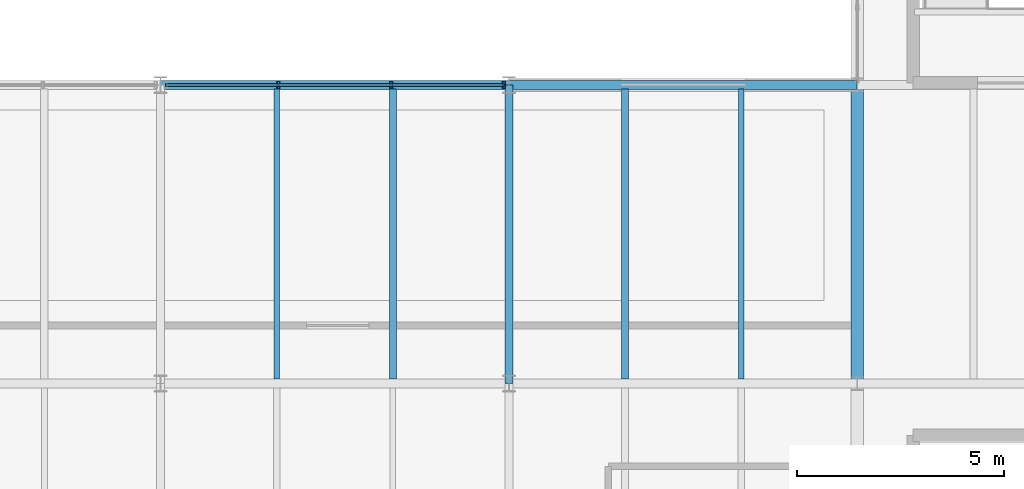
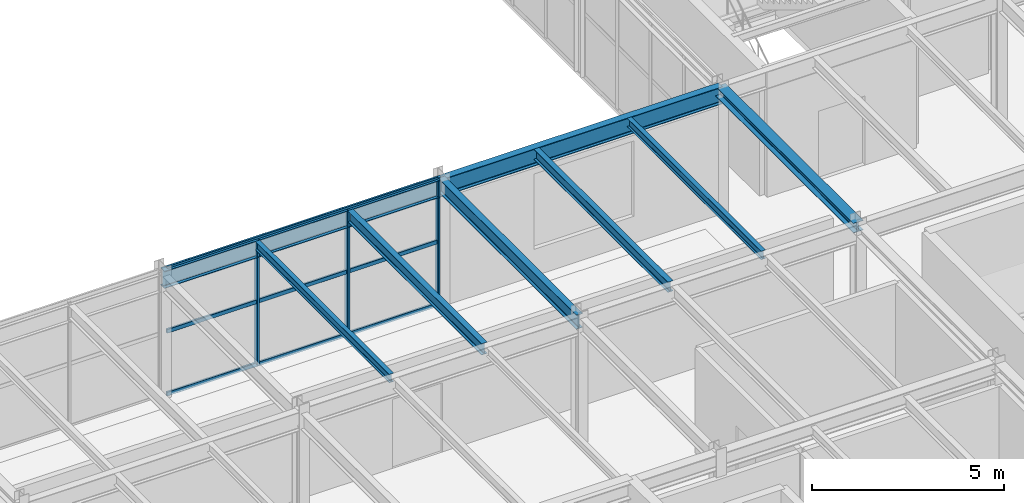
# One storey, part 33 of 73: 8 beams, 6 members, 1 element without a shape of its own.
"""IFC4 building model written with IfcOpenShell, lengths in metres."""

import ifcopenshell
import ifcopenshell.guid

model = None  # the IFC model being written
_history = None  # IfcOwnerHistory: only IFC2X3 demands one
_inside = {}  # id of a spatial element -> (the spatial element, [elements in it])
_under = {}  # id of a project, library or spatial element -> (it, [spatial elements below it])
_declared = {}  # id of a project -> (the project, [libraries it declares])
_typed = {}  # id of a type object -> (the type object, [elements of that type])
_made_of = {}  # id of a material, layer set ... -> (it, [elements and type objects made of it])


def new_model(schema):
    """Start an empty IFC model of exactly this schema.

    Asked for "IFC4X3", IfcOpenShell would pick the latest addendum, in which some entities
    have other attributes; the version numbers below select the first issue.
    IFC2X3 requires an IfcOwnerHistory on every rooted entity: one is made here for all.
    """
    global model, _history
    if schema == "IFC4X3":
        model = ifcopenshell.file(schema_version=(4, 3, 0, 0))
    else:
        model = ifcopenshell.file(schema=schema)
    _inside.clear()
    _under.clear()
    _declared.clear()
    _typed.clear()
    _made_of.clear()
    _history = None
    if model.schema == "IFC2X3":
        org = make("IfcOrganization", Name="unknown")
        user = make(
            "IfcPersonAndOrganization",
            ThePerson=make("IfcPerson", FamilyName="unknown"),
            TheOrganization=org,
        )
        app = make(
            "IfcApplication",
            ApplicationDeveloper=org,
            Version="unknown",
            ApplicationFullName="unknown",
            ApplicationIdentifier="unknown",
        )
        _history = make(
            "IfcOwnerHistory",
            OwningUser=user,
            OwningApplication=app,
            ChangeAction="ADDED",
            CreationDate=0,
        )
    return model


def make(cls, **values):
    """One entity of the class cls with the attributes given. An attribute that is None is left unset."""
    return model.create_entity(
        cls, **{name: value for name, value in values.items() if value is not None}
    )


def rooted(cls, **values):
    """An entity with a GlobalId (a new one), such as an element, a storey or a relation."""
    return make(cls, GlobalId=ifcopenshell.guid.new(), OwnerHistory=_history, **values)


def si_unit(unit_type, name, prefix=None):
    """IfcSIUnit, for example si_unit("LENGTHUNIT", "METRE", prefix="MILLI")."""
    return make("IfcSIUnit", UnitType=unit_type, Prefix=prefix, Name=name)


def derived_unit(unit_type, elements):
    """IfcDerivedUnit: a product of units, each with its exponent."""
    return make(
        "IfcDerivedUnit",
        Elements=[
            make("IfcDerivedUnitElement", Unit=unit, Exponent=power)
            for unit, power in elements
        ],
        UnitType=unit_type,
    )


def assignment(units):
    """IfcUnitAssignment: the units of a project."""
    return None if units is None else make("IfcUnitAssignment", Units=units)


def point(xyz):
    """IfcCartesianPoint."""
    return None if xyz is None else make("IfcCartesianPoint", Coordinates=xyz)


def direction(xyz):
    """IfcDirection."""
    return None if xyz is None else make("IfcDirection", DirectionRatios=xyz)


def frame(location, z_axis=None, x_axis=None):
    """IfcAxis2Placement3D, a coordinate frame: its origin and axes. An axis left out is left unset."""
    return make(
        "IfcAxis2Placement3D",
        Location=point(location),
        Axis=direction(z_axis),
        RefDirection=direction(x_axis),
    )


def frame_2d(location, x_axis=None):
    """IfcAxis2Placement2D, a coordinate frame in the plane: its origin and x axis."""
    return make(
        "IfcAxis2Placement2D", Location=point(location), RefDirection=direction(x_axis)
    )


def origin():
    """The frame at (0, 0, 0) with its axes left unset."""
    return frame((0.0, 0.0, 0.0))


def origin_2d():
    """The frame at (0, 0) in the plane with its x axis left unset."""
    return frame_2d((0.0, 0.0))


def place(relative_to, where):
    """IfcLocalPlacement: puts the frame where relative to a parent placement (None: the world)."""
    return make(
        "IfcLocalPlacement", PlacementRelTo=relative_to, RelativePlacement=where
    )


def context(
    kind, dimensions, precision=None, world=None, true_north=None, identifier=None
):
    """IfcGeometricRepresentationContext, for example the 3D "Model" context."""
    return make(
        "IfcGeometricRepresentationContext",
        ContextIdentifier=identifier,
        ContextType=kind,
        CoordinateSpaceDimension=dimensions,
        Precision=precision,
        WorldCoordinateSystem=world,
        TrueNorth=true_north,
    )


def subcontext(parent, identifier, kind, view, scale=None):
    """IfcGeometricRepresentationSubContext, for example "Body" below "Model"."""
    return make(
        "IfcGeometricRepresentationSubContext",
        ContextIdentifier=identifier,
        ContextType=kind,
        ParentContext=parent,
        TargetScale=scale,
        TargetView=view,
    )


def project(units=None, contexts=None):
    """IfcProject with its units and contexts."""
    return rooted(
        "IfcProject",
        Name="project",
        RepresentationContexts=contexts,
        UnitsInContext=assignment(units),
    )


def spatial(cls, under=None, at=None, **own):
    """A site, building, storey or space (cls), placed at a placement, below another one or the project."""
    s = rooted(cls, ObjectPlacement=at, **own)
    if under is not None:
        _under.setdefault(under.id(), (under, []))[1].append(s)
    return s


def profile(cls, at=None, kind="AREA", **sizes):
    """A parametric profile (cls). Its sizes go by their IFC names, for example OverallWidth=200.0."""
    return make(cls, ProfileType=kind, Position=at, **sizes)


def hollow_rectangle(**sizes):
    """IfcRectangleHollowProfileDef."""
    return profile("IfcRectangleHollowProfileDef", **sizes)


def i_section(**sizes):
    """IfcIShapeProfileDef."""
    return profile("IfcIShapeProfileDef", **sizes)


def extrude(swept, where, along, depth):
    """IfcExtrudedAreaSolid: the profile swept, set in the frame where, extruded along a direction by depth."""
    return make(
        "IfcExtrudedAreaSolid",
        SweptArea=swept,
        Position=where,
        ExtrudedDirection=direction(along),
        Depth=depth,
    )


def shape(context_of_items, identifier, shape_type, items):
    """IfcShapeRepresentation: the items that make up one representation, for example the "Body"."""
    return make(
        "IfcShapeRepresentation",
        ContextOfItems=context_of_items,
        RepresentationIdentifier=identifier,
        RepresentationType=shape_type,
        Items=items,
    )


def material(Name=None, Category=None):
    """IfcMaterial."""
    return make("IfcMaterial", Name=Name, Category=Category)


def material_profile(
    of_material, cross_section, Name=None, Category=None, Priority=None
):
    """IfcMaterialProfile: a cross section and its material."""
    return make(
        "IfcMaterialProfile",
        Name=Name,
        Material=of_material,
        Profile=cross_section,
        Priority=Priority,
        Category=Category,
    )


def profile_set(profiles, Name=None, composite=None):
    """IfcMaterialProfileSet."""
    return make(
        "IfcMaterialProfileSet",
        Name=Name,
        MaterialProfiles=profiles,
        CompositeProfile=composite,
    )


def made_of(thing, what):
    """Note that an element or type object is made of a material, layer set ...; save() writes the relation."""
    if what is not None:
        _made_of.setdefault(what.id(), (what, []))[1].append(thing)
    return thing


def type_object(cls, material=None, **own):
    """A type object (cls), such as IfcWallType, which elements share."""
    return made_of(rooted(cls, **own), material)


def element(
    cls,
    number,
    at=None,
    inside=None,
    cuts=None,
    type_object=None,
    material=None,
    context=None,
    identifier="Body",
    shape_type=None,
    held_by="IfcProductDefinitionShape",
    body=None,
    shapes=None,
    **own,
):
    """One element of the class cls, such as IfcWall. Its Tag is "e" and its number.

    at: its placement. inside: the storey or other place that contains it. cuts: it is an
    opening in that element (IfcRelVoidsElement). A single representation is given by context,
    identifier, shape_type and body (its items); several are given by shapes. held_by: the class
    of the entity that holds the representations. save() writes the other relations.
    """
    e = rooted(cls, Tag="e%d" % number, ObjectPlacement=at, **own)
    if body is not None:
        shapes = [shape(context, identifier, shape_type, body)]
    if shapes is not None:
        e.Representation = make(held_by, Representations=shapes)
    if inside is not None:
        _inside.setdefault(inside.id(), (inside, []))[1].append(e)
    if cuts is not None:
        rooted(
            "IfcRelVoidsElement", RelatingBuildingElement=cuts, RelatedOpeningElement=e
        )
    if type_object is not None:
        _typed.setdefault(type_object.id(), (type_object, []))[1].append(e)
    return made_of(e, material)


def aggregate(whole, parts):
    """IfcRelAggregates: a whole, such as a stair, and the parts it consists of."""
    return rooted("IfcRelAggregates", RelatingObject=whole, RelatedObjects=parts)


def save(model, path):
    """Write the relations noted so far, then the file.

    IfcRelAggregates (storeys below a building ...), IfcRelContainedInSpatialStructure (elements
    in a storey), IfcRelDefinesByType, IfcRelAssociatesMaterial and IfcRelDeclares: one each for
    every whole, place, type object, material and project.
    """
    for whole, parts in _under.values():
        aggregate(whole, parts)
    for where, things in _inside.values():
        rooted(
            "IfcRelContainedInSpatialStructure",
            RelatedElements=things,
            RelatingStructure=where,
        )
    for kind, things in _typed.values():
        rooted("IfcRelDefinesByType", RelatedObjects=things, RelatingType=kind)
    for what, things in _made_of.values():
        rooted("IfcRelAssociatesMaterial", RelatedObjects=things, RelatingMaterial=what)
    for by, libraries in _declared.values():
        rooted("IfcRelDeclares", RelatingContext=by, RelatedDefinitions=libraries)
    model.write(path)


model = new_model("IFC4")

# Units and contexts
model_context = context("Model", 3, precision=1e-05, world=origin(), true_north=direction((0.0, 1.0)))
body_context = subcontext(model_context, "Body", "Model", "MODEL_VIEW")
ifc_project = project(units=[si_unit("LENGTHUNIT", "METRE"), si_unit("AREAUNIT", "SQUARE_METRE"), si_unit("VOLUMEUNIT", "CUBIC_METRE"), si_unit("PLANEANGLEUNIT", "RADIAN"), si_unit("MASSUNIT", "GRAM", prefix="KILO"), derived_unit("THERMALTRANSMITTANCEUNIT", [(si_unit("MASSUNIT", "GRAM", prefix="KILO"), 1), (si_unit("TIMEUNIT", "SECOND"), -3), (si_unit("THERMODYNAMICTEMPERATUREUNIT", "KELVIN"), -1)])], contexts=[model_context])

# Site, building, storey
site_placement = place(None, origin())
site = spatial("IfcSite", under=ifc_project, at=site_placement, CompositionType="ELEMENT")
building_placement = place(site_placement, origin())
building = spatial("IfcBuilding", under=site, at=building_placement, Name="Kharveza Railside Sports Centre", CompositionType="ELEMENT")
storey_placement = place(building_placement, frame((0.0, 0.0, 8.699951171875)))
storey = spatial("IfcBuildingStorey", under=building, at=storey_placement, Name="L02", CompositionType="ELEMENT", Elevation=8.699951171875)

# Beams
ifc_material_1 = material(Name="Steel S355J2", Category="steel")
ifc_material_profile_1 = material_profile(ifc_material_1, i_section(OverallWidth=0.2099609375, OverallDepth=0.550048828125, WebThickness=0.010986328125, FlangeThickness=0.01708984375, FilletRadius=0.02392578125, at=origin_2d()), Name="IPE 550")
ifc_profile_set_1 = profile_set([ifc_material_profile_1], Name="Steel S355J2")
beam_type_1 = type_object("IfcBeamType", Name="BM-G02", PredefinedType="T_BEAM", material=ifc_profile_set_1)
beam_1_placement = place(storey_placement, frame((126.0, 36.0, 3.72509765625), z_axis=(1.0, 0.0, 0.0), x_axis=(0.0, 1.0, 0.0)))
element("IfcBeam", 1, at=beam_1_placement, inside=storey, type_object=beam_type_1, Name="BM-EW-L02-B02-X1260-Y360", PredefinedType="T_BEAM", context=body_context, shape_type="SweptSolid", body=[
    extrude(i_section(OverallWidth=0.2099609375, OverallDepth=0.550048828125, WebThickness=0.010986328125, FlangeThickness=0.01708984375, FilletRadius=0.02392578125, at=origin_2d()), origin(), (0.0, 0.0, 1.0), 8.39990234375),
])
beam_2_placement = place(storey_placement, frame((134.39990234375, 36.0, 3.72509765625), z_axis=(1.0, 0.0, 0.0), x_axis=(0.0, 1.0, 0.0)))
element("IfcBeam", 2, at=beam_2_placement, inside=storey, type_object=beam_type_1, Name="BM-EW-L02-B02-X1344-Y360", PredefinedType="T_BEAM", context=body_context, shape_type="SweptSolid", body=[
    extrude(i_section(OverallWidth=0.2099609375, OverallDepth=0.550048828125, WebThickness=0.010986328125, FlangeThickness=0.01708984375, FilletRadius=0.02392578125, at=origin_2d()), origin(), (0.0, 0.0, 1.0), 8.400146484375),
])
ifc_material_profile_2 = material_profile(ifc_material_1, i_section(OverallWidth=0.18994140625, OverallDepth=0.449951171875, WebThickness=0.009521484375, FlangeThickness=0.0146484375, FilletRadius=0.02099609375, at=origin_2d()), Name="IPE 450")
ifc_profile_set_2 = profile_set([ifc_material_profile_2], Name="Steel S355J2")
beam_type_2 = type_object("IfcBeamType", Name="BM-G04", PredefinedType="T_BEAM", material=ifc_profile_set_2)
beam_3_placement = place(storey_placement, frame((134.39990234375, 28.800048828125, 3.775146484375), z_axis=(0.0, 1.0, 0.0), x_axis=(-1.0, 0.0, 0.0)))
element("IfcBeam", 3, at=beam_3_placement, inside=storey, type_object=beam_type_2, Name="BM-NS-L02-B04-X1344-Y288", PredefinedType="T_BEAM", context=body_context, shape_type="SweptSolid", body=[
    extrude(i_section(OverallWidth=0.18994140625, OverallDepth=0.449951171875, WebThickness=0.009521484375, FlangeThickness=0.0146484375, FilletRadius=0.02099609375, at=origin_2d()), origin(), (0.0, 0.0, 1.0), 7.199951171875),
])
ifc_material_profile_3 = material_profile(ifc_material_1, i_section(OverallWidth=0.169921875, OverallDepth=0.360107421875, WebThickness=0.008056640625, FlangeThickness=0.0126953125, FilletRadius=0.01806640625, at=origin_2d()), Name="IPE 360")
ifc_profile_set_3 = profile_set([ifc_material_profile_3], Name="Steel S355J2")
beam_type_3 = type_object("IfcBeamType", Name="BM-S02", PredefinedType="BEAM", material=ifc_profile_set_3)
beam_4_placement = place(storey_placement, frame((131.60009765625, 28.906982421875, 3.820068359375), z_axis=(0.0, 1.0, 0.0), x_axis=(-1.0, 0.0, 0.0)))
element("IfcBeam", 4, at=beam_4_placement, inside=storey, type_object=beam_type_3, Name="BM-SEC-L02-B10-X1316-Y288", PredefinedType="BEAM", context=body_context, shape_type="SweptSolid", body=[
    extrude(i_section(OverallWidth=0.169921875, OverallDepth=0.360107421875, WebThickness=0.008056640625, FlangeThickness=0.0126953125, FilletRadius=0.01806640625, at=origin_2d()), origin(), (0.0, 0.0, 1.0), 6.990966796875),
])
ifc_material_profile_4 = material_profile(ifc_material_1, i_section(OverallWidth=0.159912109375, OverallDepth=0.330078125, WebThickness=0.007568359375, FlangeThickness=0.011474609375, FilletRadius=0.01806640625, at=origin_2d()), Name="IPE 330")
ifc_profile_set_4 = profile_set([ifc_material_profile_4], Name="Steel S355J2")
beam_type_4 = type_object("IfcBeamType", Name="BM-S03", PredefinedType="BEAM", material=ifc_profile_set_4)
beam_5_placement = place(storey_placement, frame((137.199951171875, 28.906982421875, 3.8349609375), z_axis=(0.0, 1.0, 0.0), x_axis=(-1.0, 0.0, 0.0)))
element("IfcBeam", 5, at=beam_5_placement, inside=storey, type_object=beam_type_4, Name="BM-SEC-L02-B11-X1372-Y288", PredefinedType="BEAM", context=body_context, shape_type="SweptSolid", body=[
    extrude(i_section(OverallWidth=0.159912109375, OverallDepth=0.330078125, WebThickness=0.007568359375, FlangeThickness=0.011474609375, FilletRadius=0.01806640625, at=origin_2d()), origin(), (0.0, 0.0, 1.0), 6.990966796875),
])
ifc_material_profile_5 = material_profile(ifc_material_1, i_section(OverallWidth=0.135009765625, OverallDepth=0.27001953125, WebThickness=0.006591796875, FlangeThickness=0.01025390625, FilletRadius=0.014892578125, at=origin_2d()), Name="IPE 270")
ifc_profile_set_5 = profile_set([ifc_material_profile_5], Name="Steel S355J2")
beam_type_5 = type_object("IfcBeamType", Name="BM-S05", PredefinedType="BEAM", material=ifc_profile_set_5)
for number, where, z_axis, x_axis, name in (
    (6, (128.800048828125, 28.906982421875, 3.864990234375), (0.0, 1.0, 0.0), (-1.0, 0.0, 0.0), "BM-SEC-L02-B13-X1288-Y288"),
    (7, (140.0, 28.906982421875, 3.864990234375), (0.0, 1.0, 0.0), (-1.0, 0.0, 0.0), "BM-SEC-L02-B13-X1400-Y288"),
):
    element("IfcBeam", number, at=place(storey_placement, frame(where, z_axis=z_axis, x_axis=x_axis)), inside=storey, type_object=beam_type_5, Name=name, PredefinedType="BEAM", context=body_context, shape_type="SweptSolid", body=[
        extrude(i_section(OverallWidth=0.135009765625, OverallDepth=0.27001953125, WebThickness=0.006591796875, FlangeThickness=0.01025390625, FilletRadius=0.014892578125, at=origin_2d()), origin(), (0.0, 0.0, 1.0), 6.990966796875),
    ])
ifc_material_profile_6 = material_profile(ifc_material_1, i_section(OverallWidth=0.300048828125, OverallDepth=0.31005859375, WebThickness=0.009033203125, FlangeThickness=0.015380859375, FilletRadius=0.027099609375, at=origin_2d()), Name="HEA 320")
ifc_profile_set_6 = profile_set([ifc_material_profile_6], Name="Steel S355J2")
beam_type_6 = type_object("IfcBeamType", Name="BM-S06", PredefinedType="BEAM", material=ifc_profile_set_6)
beam_6_placement = place(storey_placement, frame((142.800048828125, 28.800048828125, 3.844970703125), z_axis=(0.0, 1.0, 0.0), x_axis=(-1.0, 0.0, 0.0)))
element("IfcBeam", 8, at=beam_6_placement, inside=storey, type_object=beam_type_6, Name="BM-NS-L02-B14-X1428-Y288", PredefinedType="BEAM", context=body_context, shape_type="SweptSolid", body=[
    extrude(i_section(OverallWidth=0.300048828125, OverallDepth=0.31005859375, WebThickness=0.009033203125, FlangeThickness=0.015380859375, FilletRadius=0.027099609375, at=origin_2d()), origin(), (0.0, 0.0, 1.0), 7.199951171875),
])

# Curtain wall, members
ifc_material_2 = material(Name="Low-E solar-control laminated glass", Category="glass")
curtain_wall_type = type_object("IfcCurtainWallType", Name="CW-WG01", PredefinedType="NOTDEFINED", material=ifc_material_2)
curtain_wall_placement = place(storey_placement, origin())
curtain_wall = element("IfcCurtainWall", 9, at=curtain_wall_placement, inside=storey, type_object=curtain_wall_type, Name="CW-WG-L02-CW-WG01-X1302-Y360", PredefinedType="NOTDEFINED")
ifc_material_3 = material(Name="Anodised aluminium 6063-T6", Category="aluminium")
ifc_material_profile_7 = material_profile(ifc_material_3, hollow_rectangle(XDim=0.070068359375, YDim=0.179931640625, WallThickness=0.00634765625, InnerFilletRadius=0.00634765625, OuterFilletRadius=0.0126953125, at=origin_2d()), Name="RHS 70x180x6.3")
ifc_profile_set_7 = profile_set([ifc_material_profile_7], Name="Anodised aluminium 6063-T6")
member_type_1 = type_object("IfcMemberType", Name="CW-ML03", PredefinedType="MULLION", material=ifc_profile_set_7)
member_1_placement = place(storey_placement, frame((134.280029296875, 36.0, 0.0), z_axis=(0.0, 0.0, 1.0), x_axis=(1.0, 0.0, 0.0)))
member_1 = element("IfcMember", 10, at=member_1_placement, type_object=member_type_1, Name="CW-WG-L02-CW-WG01-X1302-Y360-ML1", PredefinedType="MULLION", context=body_context, shape_type="SweptSolid", body=[
    extrude(hollow_rectangle(XDim=0.070068359375, YDim=0.179931640625, WallThickness=0.00634765625, InnerFilletRadius=0.00634765625, OuterFilletRadius=0.0126953125, at=origin_2d()), origin(), (0.0, 0.0, 1.0), 4.0),
])
member_2_placement = place(storey_placement, frame((131.56005859375, 36.0, 0.0), z_axis=(0.0, 0.0, 1.0), x_axis=(1.0, 0.0, 0.0)))
member_2 = element("IfcMember", 11, at=member_2_placement, type_object=member_type_1, Name="CW-WG-L02-CW-WG01-X1302-Y360-ML2", PredefinedType="MULLION", context=body_context, shape_type="SweptSolid", body=[
    extrude(hollow_rectangle(XDim=0.070068359375, YDim=0.179931640625, WallThickness=0.00634765625, InnerFilletRadius=0.00634765625, OuterFilletRadius=0.0126953125, at=origin_2d()), origin(), (0.0, 0.0, 1.0), 4.0),
])
member_3_placement = place(storey_placement, frame((128.840087890625, 36.0, 0.0), z_axis=(0.0, 0.0, 1.0), x_axis=(1.0, 0.0, 0.0)))
member_3 = element("IfcMember", 12, at=member_3_placement, type_object=member_type_1, Name="CW-WG-L02-CW-WG01-X1302-Y360-ML3", PredefinedType="MULLION", context=body_context, shape_type="SweptSolid", body=[
    extrude(hollow_rectangle(XDim=0.070068359375, YDim=0.179931640625, WallThickness=0.00634765625, InnerFilletRadius=0.00634765625, OuterFilletRadius=0.0126953125, at=origin_2d()), origin(), (0.0, 0.0, 1.0), 4.0),
])
ifc_material_profile_8 = material_profile(ifc_material_3, hollow_rectangle(XDim=0.06494140625, YDim=0.1298828125, WallThickness=0.0048828125, InnerFilletRadius=0.0048828125, OuterFilletRadius=0.010009765625, at=origin_2d()), Name="RHS 65x130x5.0")
ifc_profile_set_8 = profile_set([ifc_material_profile_8], Name="Anodised aluminium 6063-T6")
member_type_2 = type_object("IfcMemberType", Name="CW-TR03", PredefinedType="USERDEFINED", material=ifc_profile_set_8)
member_4_placement = place(storey_placement, frame((134.280029296875, 36.0, 0.0), z_axis=(-1.0, 0.0, 0.0), x_axis=(0.0, -1.0, 0.0)))
member_4 = element("IfcMember", 13, at=member_4_placement, type_object=member_type_2, Name="CW-WG-L02-CW-WG01-X1302-Y360-TR1", ObjectType="TRANSOM", PredefinedType="USERDEFINED", context=body_context, shape_type="SweptSolid", body=[
    extrude(hollow_rectangle(XDim=0.06494140625, YDim=0.1298828125, WallThickness=0.0048828125, InnerFilletRadius=0.0048828125, OuterFilletRadius=0.010009765625, at=origin_2d()), origin(), (0.0, 0.0, 1.0), 8.159912109375),
])
member_5_placement = place(storey_placement, frame((134.280029296875, 36.0, 2.0), z_axis=(-1.0, 0.0, 0.0), x_axis=(0.0, -1.0, 0.0)))
member_5 = element("IfcMember", 14, at=member_5_placement, type_object=member_type_2, Name="CW-WG-L02-CW-WG01-X1302-Y360-TR2", ObjectType="TRANSOM", PredefinedType="USERDEFINED", context=body_context, shape_type="SweptSolid", body=[
    extrude(hollow_rectangle(XDim=0.06494140625, YDim=0.1298828125, WallThickness=0.0048828125, InnerFilletRadius=0.0048828125, OuterFilletRadius=0.010009765625, at=origin_2d()), origin(), (0.0, 0.0, 1.0), 8.159912109375),
])
member_6_placement = place(storey_placement, frame((134.280029296875, 36.0, 4.0), z_axis=(-1.0, 0.0, 0.0), x_axis=(0.0, -1.0, 0.0)))
member_6 = element("IfcMember", 15, at=member_6_placement, type_object=member_type_2, Name="CW-WG-L02-CW-WG01-X1302-Y360-TR3", ObjectType="TRANSOM", PredefinedType="USERDEFINED", context=body_context, shape_type="SweptSolid", body=[
    extrude(hollow_rectangle(XDim=0.06494140625, YDim=0.1298828125, WallThickness=0.0048828125, InnerFilletRadius=0.0048828125, OuterFilletRadius=0.010009765625, at=origin_2d()), origin(), (0.0, 0.0, 1.0), 8.159912109375),
])
aggregate(curtain_wall, [member_1, member_2, member_3, member_4, member_5, member_6])

save(model, "model.ifc")
